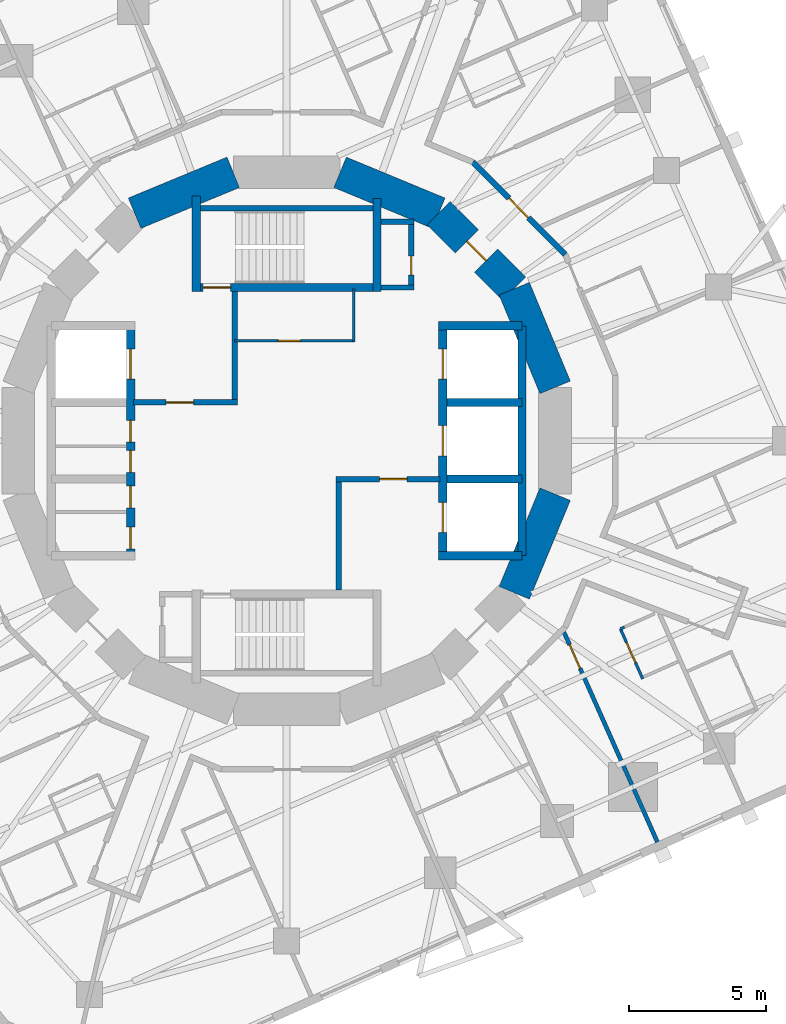
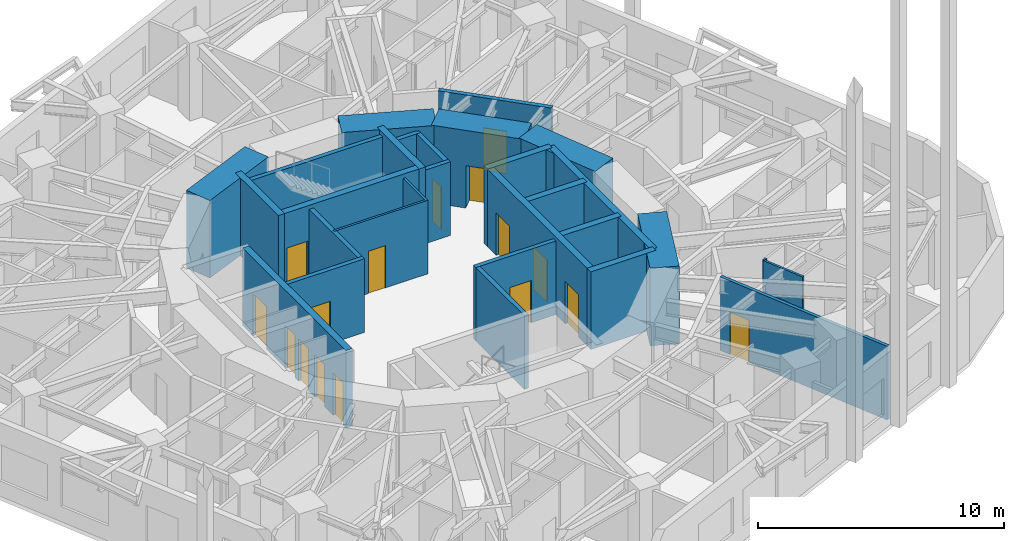
# One storey, part 7 of 11: 29 walls, 17 doors, 17 openings.
"""IFC4 building model written with IfcOpenShell, lengths in metres."""

from ifc_helpers import new_model, si_unit, direction, frame, frame_2d, origin, place, context, subcontext, project, spatial, rectangle, extrude, material, layer, layer_set, type_object, element, fill, save


model = new_model("IFC4")

# Units and contexts
model_context = context("Model", 3, precision=1e-05, world=origin(), true_north=direction((0.0, 1.0)))
body_context = subcontext(model_context, "Body", "Model", "MODEL_VIEW")
ifc_project = project(units=[si_unit("LENGTHUNIT", "METRE"), si_unit("AREAUNIT", "SQUARE_METRE"), si_unit("VOLUMEUNIT", "CUBIC_METRE"), si_unit("PLANEANGLEUNIT", "RADIAN"), si_unit("MASSUNIT", "GRAM", prefix="KILO")], contexts=[model_context])

# Site, building, storey
site_placement = place(None, origin())
site = spatial("IfcSite", under=ifc_project, at=site_placement, CompositionType="ELEMENT")
building_placement = place(site_placement, origin())
building = spatial("IfcBuilding", under=site, at=building_placement, Name="Nakasero Lantern House", CompositionType="ELEMENT")
storey_placement = place(building_placement, frame((0.0, 0.0, 182.449951171875)))
storey = spatial("IfcBuildingStorey", under=building, at=storey_placement, Name="L44", CompositionType="ELEMENT", Elevation=182.449951171875)

# Wall, openings, doors
ifc_material_1 = material(Name="Concrete C50/60", Category="concrete")
ifc_layer_1 = layer(ifc_material_1, 0.300048828125)
ifc_layer_set_1 = layer_set([ifc_layer_1], Name="Core inner wall 300")
wall_type_1 = type_object("IfcWallType", Name="Core inner wall 300", PredefinedType="SHEAR", material=ifc_layer_set_1)
wall_1_placement = place(storey_placement, frame((-5.699951171875, -4.199951171875, 0.0), z_axis=(0.0, 0.0, 1.0), x_axis=(0.0, 1.0, 0.0)))
wall_1 = element("IfcWall", 1, at=wall_1_placement, inside=storey, type_object=wall_type_1, Name="Core inner wall L44 LW", PredefinedType="SHEAR", context=body_context, shape_type="SweptSolid", body=[
    extrude(rectangle(XDim=8.39990234375, YDim=0.300048828125, at=frame_2d((4.199951171875, 0.0))), origin(), (0.0, 0.0, 1.0), 3.85009765625),
])
opening_1_placement = place(wall_1_placement, frame((0.25, 0.0, 0.0)))
opening_1 = element("IfcOpeningElement", 2, at=opening_1_placement, cuts=wall_1, Name="Opening D19", PredefinedType="OPENING", context=body_context, shape_type="SweptSolid", body=[
    extrude(rectangle(XDim=0.800048828125, YDim=2.10009765625, at=frame_2d((0.39990234375, 1.050048828125))), frame((0.0, 0.169921875, 0.0), z_axis=(0.0, -1.0, 0.0), x_axis=(1.0, 0.0, 0.0)), (0.0, 0.0, 1.0), 0.340087890625),
])
opening_2_placement = place(wall_1_placement, frame((1.75, 0.0, 0.0)))
opening_2 = element("IfcOpeningElement", 3, at=opening_2_placement, cuts=wall_1, Name="Opening D15", PredefinedType="OPENING", context=body_context, shape_type="SweptSolid", body=[
    extrude(rectangle(XDim=0.800048828125, YDim=2.10009765625, at=frame_2d((0.39990234375, 1.050048828125))), frame((0.0, 0.169921875, 0.0), z_axis=(0.0, -1.0, 0.0), x_axis=(1.0, 0.0, 0.0)), (0.0, 0.0, 1.0), 0.340087890625),
])
opening_3_placement = place(wall_1_placement, frame((3.050048828125, 0.0, 0.0)))
opening_3 = element("IfcOpeningElement", 4, at=opening_3_placement, cuts=wall_1, Name="Opening D15", PredefinedType="OPENING", context=body_context, shape_type="SweptSolid", body=[
    extrude(rectangle(XDim=0.800048828125, YDim=2.10009765625, at=frame_2d((0.39990234375, 1.050048828125))), frame((0.0, 0.169921875, 0.0), z_axis=(0.0, -1.0, 0.0), x_axis=(1.0, 0.0, 0.0)), (0.0, 0.0, 1.0), 0.340087890625),
])
opening_4_placement = place(wall_1_placement, frame((4.14990234375, 0.0, 0.0)))
opening_4 = element("IfcOpeningElement", 5, at=opening_4_placement, cuts=wall_1, Name="Opening D15", PredefinedType="OPENING", context=body_context, shape_type="SweptSolid", body=[
    extrude(rectangle(XDim=0.800048828125, YDim=2.10009765625, at=frame_2d((0.39990234375, 1.050048828125))), frame((0.0, 0.169921875, 0.0), z_axis=(0.0, -1.0, 0.0), x_axis=(1.0, 0.0, 0.0)), (0.0, 0.0, 1.0), 0.340087890625),
])
opening_5_placement = place(wall_1_placement, frame((6.449951171875, 0.0, 0.0)))
opening_5 = element("IfcOpeningElement", 6, at=opening_5_placement, cuts=wall_1, Name="Opening LD", PredefinedType="OPENING", context=body_context, shape_type="SweptSolid", body=[
    extrude(rectangle(XDim=1.10009765625, YDim=2.10009765625, at=frame_2d((0.550048828125, 1.050048828125))), frame((0.0, 0.169921875, 0.0), z_axis=(0.0, -1.0, 0.0), x_axis=(1.0, 0.0, 0.0)), (0.0, 0.0, 1.0), 0.340087890625),
])
ifc_material_2 = material(Name="Timber C24", Category="wood")
door_type_1 = type_object("IfcDoorType", Name="Cleaner's store door FD30S 800", OperationType="SINGLE_SWING_LEFT", PredefinedType="DOOR", material=ifc_material_2)
door_1_placement = place(opening_2_placement, origin())
door_1 = element("IfcDoor", 7, at=door_1_placement, inside=storey, type_object=door_type_1, Name="Door L44 D-SH-LW1b", OperationType="SINGLE_SWING_LEFT", OverallHeight=2.10009765625, OverallWidth=0.800048828125, PredefinedType="DOOR", context=body_context, shape_type="SweptSolid", body=[
    extrude(rectangle(XDim=0.800048828125, YDim=2.10009765625, at=frame_2d((0.39990234375, 1.050048828125))), frame((0.0, 0.02490234375, 0.0), z_axis=(0.0, -1.0, 0.0), x_axis=(1.0, 0.0, 0.0)), (0.0, 0.0, 1.0), 0.050048828125),
])
fill(opening_2, door_1)
door_2_placement = place(opening_3_placement, origin())
door_2 = element("IfcDoor", 8, at=door_2_placement, inside=storey, type_object=door_type_1, Name="Door L44 D-SH-LW2a", OperationType="SINGLE_SWING_LEFT", OverallHeight=2.10009765625, OverallWidth=0.800048828125, PredefinedType="DOOR", context=body_context, shape_type="SweptSolid", body=[
    extrude(rectangle(XDim=0.800048828125, YDim=2.10009765625, at=frame_2d((0.39990234375, 1.050048828125))), frame((0.0, 0.02490234375, 0.0), z_axis=(0.0, -1.0, 0.0), x_axis=(1.0, 0.0, 0.0)), (0.0, 0.0, 1.0), 0.050048828125),
])
fill(opening_3, door_2)
door_3_placement = place(opening_4_placement, origin())
door_3 = element("IfcDoor", 9, at=door_3_placement, inside=storey, type_object=door_type_1, Name="Door L44 D-SH-LW2b", OperationType="SINGLE_SWING_RIGHT", OverallHeight=2.10009765625, OverallWidth=0.800048828125, PredefinedType="DOOR", context=body_context, shape_type="SweptSolid", body=[
    extrude(rectangle(XDim=0.800048828125, YDim=2.10009765625, at=frame_2d((0.39990234375, 1.050048828125))), frame((0.0, 0.02490234375, 0.0), z_axis=(0.0, -1.0, 0.0), x_axis=(1.0, 0.0, 0.0)), (0.0, 0.0, 1.0), 0.050048828125),
])
fill(opening_4, door_3)
ifc_material_3 = material(Name="Steel S355", Category="steel")
door_type_2 = type_object("IfcDoorType", Name="Lift landing door E120 1100", OperationType="SLIDING_TO_LEFT", PredefinedType="DOOR", material=ifc_material_3)
door_4_placement = place(opening_5_placement, origin())
door_4 = element("IfcDoor", 10, at=door_4_placement, inside=storey, type_object=door_type_2, Name="Lift landing door LW3", OperationType="SLIDING_TO_LEFT", OverallHeight=2.10009765625, OverallWidth=1.10009765625, PredefinedType="DOOR", context=body_context, shape_type="SweptSolid", body=[
    extrude(rectangle(XDim=1.10009765625, YDim=2.10009765625, at=frame_2d((0.550048828125, 1.050048828125))), frame((0.0, 0.02490234375, 0.0), z_axis=(0.0, -1.0, 0.0), x_axis=(1.0, 0.0, 0.0)), (0.0, 0.0, 1.0), 0.050048828125),
])
fill(opening_5, door_4)
ifc_material_4 = material(Name="Steel S355", Category="steel")
door_type_3 = type_object("IfcDoorType", Name="Plant room door FD60 800", OperationType="SINGLE_SWING_LEFT", PredefinedType="DOOR", material=ifc_material_4)
door_5_placement = place(opening_1_placement, origin())
door_5 = element("IfcDoor", 11, at=door_5_placement, inside=storey, type_object=door_type_3, Name="Door L44 D-SH-LW1a", OperationType="SINGLE_SWING_LEFT", OverallHeight=2.10009765625, OverallWidth=0.800048828125, PredefinedType="DOOR", context=body_context, shape_type="SweptSolid", body=[
    extrude(rectangle(XDim=0.800048828125, YDim=2.10009765625, at=frame_2d((0.39990234375, 1.050048828125))), frame((0.0, 0.02490234375, 0.0), z_axis=(0.0, -1.0, 0.0), x_axis=(1.0, 0.0, 0.0)), (0.0, 0.0, 1.0), 0.050048828125),
])
fill(opening_1, door_5)

wall_2_placement = place(storey_placement, frame((5.699951171875, -4.199951171875, 0.0), z_axis=(0.0, 0.0, 1.0), x_axis=(0.0, 1.0, 0.0)))
wall_2 = element("IfcWall", 12, at=wall_2_placement, inside=storey, type_object=wall_type_1, Name="Core inner wall L44 LE", PredefinedType="SHEAR", context=body_context, shape_type="SweptSolid", body=[
    extrude(rectangle(XDim=8.39990234375, YDim=0.300048828125, at=frame_2d((4.199951171875, 0.0))), origin(), (0.0, 0.0, 1.0), 3.85009765625),
])
opening_6_placement = place(wall_2_placement, frame((0.85009765625, 0.0, 0.0)))
opening_6 = element("IfcOpeningElement", 13, at=opening_6_placement, cuts=wall_2, Name="Opening LD", PredefinedType="OPENING", context=body_context, shape_type="SweptSolid", body=[
    extrude(rectangle(XDim=1.10009765625, YDim=2.10009765625, at=frame_2d((0.550048828125, 1.050048828125))), frame((0.0, 0.169921875, 0.0), z_axis=(0.0, -1.0, 0.0), x_axis=(1.0, 0.0, 0.0)), (0.0, 0.0, 1.0), 0.340087890625),
])
opening_7_placement = place(wall_2_placement, frame((3.64990234375, 0.0, 0.0)))
opening_7 = element("IfcOpeningElement", 14, at=opening_7_placement, cuts=wall_2, Name="Opening LD", PredefinedType="OPENING", context=body_context, shape_type="SweptSolid", body=[
    extrude(rectangle(XDim=1.10009765625, YDim=2.10009765625, at=frame_2d((0.550048828125, 1.050048828125))), frame((0.0, 0.169921875, 0.0), z_axis=(0.0, -1.0, 0.0), x_axis=(1.0, 0.0, 0.0)), (0.0, 0.0, 1.0), 0.340087890625),
])
opening_8_placement = place(wall_2_placement, frame((6.449951171875, 0.0, 0.0)))
opening_8 = element("IfcOpeningElement", 15, at=opening_8_placement, cuts=wall_2, Name="Opening LD", PredefinedType="OPENING", context=body_context, shape_type="SweptSolid", body=[
    extrude(rectangle(XDim=1.10009765625, YDim=2.10009765625, at=frame_2d((0.550048828125, 1.050048828125))), frame((0.0, 0.169921875, 0.0), z_axis=(0.0, -1.0, 0.0), x_axis=(1.0, 0.0, 0.0)), (0.0, 0.0, 1.0), 0.340087890625),
])
door_6_placement = place(opening_6_placement, origin())
door_6 = element("IfcDoor", 16, at=door_6_placement, inside=storey, type_object=door_type_2, Name="Lift landing door LE1", OperationType="SLIDING_TO_LEFT", OverallHeight=2.10009765625, OverallWidth=1.10009765625, PredefinedType="DOOR", context=body_context, shape_type="SweptSolid", body=[
    extrude(rectangle(XDim=1.10009765625, YDim=2.10009765625, at=frame_2d((0.550048828125, 1.050048828125))), frame((0.0, 0.02490234375, 0.0), z_axis=(0.0, -1.0, 0.0), x_axis=(1.0, 0.0, 0.0)), (0.0, 0.0, 1.0), 0.050048828125),
])
fill(opening_6, door_6)
door_7_placement = place(opening_7_placement, origin())
door_7 = element("IfcDoor", 17, at=door_7_placement, inside=storey, type_object=door_type_2, Name="Lift landing door LE2", OperationType="SLIDING_TO_LEFT", OverallHeight=2.10009765625, OverallWidth=1.10009765625, PredefinedType="DOOR", context=body_context, shape_type="SweptSolid", body=[
    extrude(rectangle(XDim=1.10009765625, YDim=2.10009765625, at=frame_2d((0.550048828125, 1.050048828125))), frame((0.0, 0.02490234375, 0.0), z_axis=(0.0, -1.0, 0.0), x_axis=(1.0, 0.0, 0.0)), (0.0, 0.0, 1.0), 0.050048828125),
])
fill(opening_7, door_7)
door_8_placement = place(opening_8_placement, origin())
door_8 = element("IfcDoor", 18, at=door_8_placement, inside=storey, type_object=door_type_2, Name="Lift landing door LE3", OperationType="SLIDING_TO_LEFT", OverallHeight=2.10009765625, OverallWidth=1.10009765625, PredefinedType="DOOR", context=body_context, shape_type="SweptSolid", body=[
    extrude(rectangle(XDim=1.10009765625, YDim=2.10009765625, at=frame_2d((0.550048828125, 1.050048828125))), frame((0.0, 0.02490234375, 0.0), z_axis=(0.0, -1.0, 0.0), x_axis=(1.0, 0.0, 0.0)), (0.0, 0.0, 1.0), 0.050048828125),
])
fill(opening_8, door_8)

# Walls
for number, where, z_axis, x_axis, name in (
    (19, (5.550048828125, 4.199951171875, 0.0), (0.0, 0.0, 1.0), (1.0, 0.0, 0.0), "Core inner wall L44 LEN"),
    (20, (5.550048828125, -4.199951171875, 0.0), (0.0, 0.0, 1.0), (1.0, 0.0, 0.0), "Core inner wall L44 LES"),
):
    element("IfcWall", number, at=place(storey_placement, frame(where, z_axis=z_axis, x_axis=x_axis)), inside=storey, type_object=wall_type_1, Name=name, PredefinedType="SHEAR", context=body_context, shape_type="SweptSolid", body=[
        extrude(rectangle(XDim=3.050048828125, YDim=0.300048828125, at=frame_2d((1.52490234375, 0.0))), origin(), (0.0, 0.0, 1.0), 3.85009765625),
    ])
wall_3_placement = place(storey_placement, frame((8.60009765625, -4.199951171875, 0.0), z_axis=(0.0, 0.0, 1.0), x_axis=(0.0, 1.0, 0.0)))
element("IfcWall", 21, at=wall_3_placement, inside=storey, type_object=wall_type_1, Name="Core inner wall L44 LEB", PredefinedType="SHEAR", context=body_context, shape_type="SweptSolid", body=[
    extrude(rectangle(XDim=8.39990234375, YDim=0.300048828125, at=frame_2d((4.199951171875, 0.0))), origin(), (0.0, 0.0, 1.0), 3.85009765625),
])
for number, where, z_axis, x_axis, name in (
    (22, (5.85009765625, -1.39990234375, 0.0), (0.0, 0.0, 1.0), (1.0, 0.0, 0.0), "Core inner wall L44 LE1"),
    (23, (5.85009765625, 1.39990234375, 0.0), (0.0, 0.0, 1.0), (1.0, 0.0, 0.0), "Core inner wall L44 LE2"),
):
    element("IfcWall", number, at=place(storey_placement, frame(where, z_axis=z_axis, x_axis=x_axis)), inside=storey, type_object=wall_type_1, Name=name, PredefinedType="SHEAR", context=body_context, shape_type="SweptSolid", body=[
        extrude(rectangle(XDim=2.75, YDim=0.300048828125, at=frame_2d((1.375, 0.0))), origin(), (0.0, 0.0, 1.0), 3.85009765625),
    ])

# Wall, opening, door
wall_4_placement = place(storey_placement, frame((-3.449951171875, 5.60009765625, 0.0), z_axis=(0.0, 0.0, 1.0), x_axis=(1.0, 0.0, 0.0)))
wall_4 = element("IfcWall", 24, at=wall_4_placement, inside=storey, type_object=wall_type_1, Name="Core inner wall L44 SN", PredefinedType="SHEAR", context=body_context, shape_type="SweptSolid", body=[
    extrude(rectangle(XDim=6.89990234375, YDim=0.300048828125, at=frame_2d((3.449951171875, 0.0))), origin(), (0.0, 0.0, 1.0), 3.85009765625),
])
opening_9_placement = place(wall_4_placement, frame((0.39990234375, 0.0, 0.0)))
opening_9 = element("IfcOpeningElement", 25, at=opening_9_placement, cuts=wall_4, Name="Opening D05", PredefinedType="OPENING", context=body_context, shape_type="SweptSolid", body=[
    extrude(rectangle(XDim=1.0, YDim=2.10009765625, at=frame_2d((0.5, 1.050048828125))), frame((0.0, 0.169921875, 0.0), z_axis=(0.0, -1.0, 0.0), x_axis=(1.0, 0.0, 0.0)), (0.0, 0.0, 1.0), 0.340087890625),
])
ifc_material_5 = material(Name="Timber C24", Category="wood")
door_type_4 = type_object("IfcDoorType", Name="Core door FD60S 1000", OperationType="SINGLE_SWING_LEFT", PredefinedType="DOOR", material=ifc_material_5)
door_9_placement = place(opening_9_placement, origin())
door_9 = element("IfcDoor", 26, at=door_9_placement, inside=storey, type_object=door_type_4, Name="Door L44 D-ST1", OperationType="SINGLE_SWING_LEFT", OverallHeight=2.10009765625, OverallWidth=1.0, PredefinedType="DOOR", context=body_context, shape_type="SweptSolid", body=[
    extrude(rectangle(XDim=1.0, YDim=2.10009765625, at=frame_2d((0.5, 1.050048828125))), frame((0.0, 0.02490234375, 0.0), z_axis=(0.0, -1.0, 0.0), x_axis=(1.0, 0.0, 0.0)), (0.0, 0.0, 1.0), 0.050048828125),
])
fill(opening_9, door_9)

# Walls
wall_5_placement = place(storey_placement, frame((-3.300048828125, 5.449951171875, 0.0), z_axis=(0.0, 0.0, 1.0), x_axis=(0.0, 1.0, 0.0)))
element("IfcWall", 27, at=wall_5_placement, inside=storey, type_object=wall_type_1, Name="Core inner wall L44 SNW", PredefinedType="SHEAR", context=body_context, shape_type="SweptSolid", body=[
    extrude(rectangle(XDim=3.5, YDim=0.300048828125, at=frame_2d((1.75, 0.0))), origin(), (0.0, 0.0, 1.0), 3.85009765625),
])
wall_6_placement = place(storey_placement, frame((3.300048828125, 5.449951171875, 0.0), z_axis=(0.0, 0.0, 1.0), x_axis=(0.0, 1.0, 0.0)))
element("IfcWall", 28, at=wall_6_placement, inside=storey, type_object=wall_type_1, Name="Core inner wall L44 SNE", PredefinedType="SHEAR", context=body_context, shape_type="SweptSolid", body=[
    extrude(rectangle(XDim=3.400146484375, YDim=0.300048828125, at=frame_2d((1.7001953125, 0.0))), origin(), (0.0, 0.0, 1.0), 3.85009765625),
])

# Wall, opening, door
ifc_material_6 = material(Name="Blockwork", Category="masonry")
ifc_layer_2 = layer(ifc_material_6, 0.10009765625)
ifc_layer_set_2 = layer_set([ifc_layer_2], Name="Core room wall 100")
wall_type_2 = type_object("IfcWallType", Name="Core room wall 100", PredefinedType="PARTITIONING", material=ifc_layer_set_2)
wall_7_placement = place(storey_placement, frame((-1.89990234375, 3.64990234375, 0.0), z_axis=(0.0, 0.0, 1.0), x_axis=(1.0, 0.0, 0.0)))
wall_7 = element("IfcWall", 29, at=wall_7_placement, inside=storey, type_object=wall_type_2, Name="Core room wall L44 CR-NES", PredefinedType="PARTITIONING", context=body_context, shape_type="SweptSolid", body=[
    extrude(rectangle(XDim=4.39990234375, YDim=0.10009765625, at=frame_2d((2.199951171875, 0.0))), origin(), (0.0, 0.0, 1.0), 3.650146484375),
])
opening_10_placement = place(wall_7_placement, frame((1.60009765625, 0.0, 0.0)))
opening_10 = element("IfcOpeningElement", 30, at=opening_10_placement, cuts=wall_7, Name="Opening D15", PredefinedType="OPENING", context=body_context, shape_type="SweptSolid", body=[
    extrude(rectangle(XDim=0.800048828125, YDim=2.10009765625, at=frame_2d((0.39990234375, 1.050048828125))), frame((0.0, 0.070068359375, 0.0), z_axis=(0.0, -1.0, 0.0), x_axis=(1.0, 0.0, 0.0)), (0.0, 0.0, 1.0), 0.14013671875),
])
door_10_placement = place(opening_10_placement, origin())
door_10 = element("IfcDoor", 31, at=door_10_placement, inside=storey, type_object=door_type_1, Name="Door L44 D-CR-NE", OperationType="SINGLE_SWING_LEFT", OverallHeight=2.10009765625, OverallWidth=0.800048828125, PredefinedType="DOOR", context=body_context, shape_type="SweptSolid", body=[
    extrude(rectangle(XDim=0.800048828125, YDim=2.10009765625, at=frame_2d((0.39990234375, 1.050048828125))), frame((0.0, 0.02490234375, 0.0), z_axis=(0.0, -1.0, 0.0), x_axis=(1.0, 0.0, 0.0)), (0.0, 0.0, 1.0), 0.050048828125),
])
fill(opening_10, door_10)

# Walls
wall_8_placement = place(storey_placement, frame((2.449951171875, 3.60009765625, 0.0), z_axis=(0.0, 0.0, 1.0), x_axis=(0.0, 1.0, 0.0)))
element("IfcWall", 32, at=wall_8_placement, inside=storey, type_object=wall_type_2, Name="Core room wall L44 CR-NEE", PredefinedType="PARTITIONING", context=body_context, shape_type="SweptSolid", body=[
    extrude(rectangle(XDim=1.949951171875, YDim=0.10009765625, at=frame_2d((0.97509765625, 0.0))), origin(), (0.0, 0.0, 1.0), 3.650146484375),
])
ifc_material_7 = material(Name="Concrete C50/60", Category="concrete")
ifc_layer_3 = layer(ifc_material_7, 1.199951171875)
ifc_layer_set_3 = layer_set([ifc_layer_3], Name="Core wall 1200")
wall_type_3 = type_object("IfcWallType", Name="Core wall 1200", PredefinedType="SHEAR", material=ifc_layer_set_3)
wall_9_placement = place(storey_placement, frame((9.807861328125, 1.950927734375, 0.0), z_axis=(0.0, 0.0, 1.0), x_axis=(-0.382690736062, 0.923876507187, 0.0)))
element("IfcWall", 33, at=wall_9_placement, inside=storey, type_object=wall_type_3, Name="Core wall L44 facet 1", PredefinedType="SHEAR", context=body_context, shape_type="SweptSolid", body=[
    extrude(rectangle(XDim=3.90185546875, YDim=1.199951171875, at=frame_2d((1.950927734375, 0.0))), origin(), (0.0, 0.0, 1.0), 3.85009765625),
])

# Wall, opening, door
wall_10_placement = place(storey_placement, frame((8.314697265625, 5.5556640625, 0.0), z_axis=(0.0, 0.0, 1.0), x_axis=(-0.707106781187, 0.707106781187, 0.0)))
wall_10 = element("IfcWall", 34, at=wall_10_placement, inside=storey, type_object=wall_type_3, Name="Core wall L44 facet 2", PredefinedType="SHEAR", context=body_context, shape_type="SweptSolid", body=[
    extrude(rectangle(XDim=3.90185546875, YDim=1.199951171875, at=frame_2d((1.950927734375, 0.0))), origin(), (0.0, 0.0, 1.0), 3.85009765625),
])
opening_11_placement = place(wall_10_placement, frame((1.450927734375, 0.0, 0.0)))
opening_11 = element("IfcOpeningElement", 35, at=opening_11_placement, cuts=wall_10, Name="Opening D05", PredefinedType="OPENING", context=body_context, shape_type="SweptSolid", body=[
    extrude(rectangle(XDim=1.0, YDim=2.10009765625, at=frame_2d((0.5, 1.050048828125))), frame((0.0, 0.619873046875, 0.0), z_axis=(0.0, -1.0, 0.0), x_axis=(1.0, 0.0, 0.0)), (0.0, 0.0, 1.0), 1.239990234375),
])
door_11_placement = place(opening_11_placement, origin())
door_11 = element("IfcDoor", 36, at=door_11_placement, inside=storey, type_object=door_type_4, Name="Door L44 D-CORE02", OperationType="SINGLE_SWING_LEFT", OverallHeight=2.10009765625, OverallWidth=1.0, PredefinedType="DOOR", context=body_context, shape_type="SweptSolid", body=[
    extrude(rectangle(XDim=1.0, YDim=2.10009765625, at=frame_2d((0.5, 1.050048828125))), frame((0.0, 0.02490234375, 0.0), z_axis=(0.0, -1.0, 0.0), x_axis=(1.0, 0.0, 0.0)), (0.0, 0.0, 1.0), 0.050048828125),
])
fill(opening_11, door_11)

# Walls
for number, where, z_axis, x_axis, name in (
    (37, (5.5556640625, 8.314697265625, 0.0), (0.0, 0.0, 1.0), (-0.923876507187, 0.382690736062, 0.0), "Core wall L44 facet 3"),
    (38, (-1.950927734375, 9.807861328125, 0.0), (0.0, 0.0, 1.0), (-0.923876507187, -0.382690736062, 0.0), "Core wall L44 facet 5"),
    (39, (8.314697265625, -5.5556640625, 0.0), (0.0, 0.0, 1.0), (0.382690736062, 0.923876507187, 0.0), "Core wall L44 facet 15"),
):
    element("IfcWall", number, at=place(storey_placement, frame(where, z_axis=z_axis, x_axis=x_axis)), inside=storey, type_object=wall_type_3, Name=name, PredefinedType="SHEAR", context=body_context, shape_type="SweptSolid", body=[
        extrude(rectangle(XDim=3.90185546875, YDim=1.199951171875, at=frame_2d((1.950927734375, 0.0))), origin(), (0.0, 0.0, 1.0), 3.85009765625),
    ])

# Wall, opening, door
ifc_material_8 = material(Name="Blockwork", Category="masonry")
ifc_layer_4 = layer(ifc_material_8, 0.199951171875)
ifc_layer_set_4 = layer_set([ifc_layer_4], Name="Corridor wall 200")
wall_type_4 = type_object("IfcWallType", Name="Corridor wall 200", PredefinedType="PARTITIONING", material=ifc_layer_set_4)
wall_11_placement = place(storey_placement, frame((6.802001953125, 10.1796875, 0.0), z_axis=(0.0, 0.0, 1.0), x_axis=(0.707106781187, -0.707106781187, 0.0)))
wall_11 = element("IfcWall", 40, at=wall_11_placement, inside=storey, type_object=wall_type_4, Name="Corridor wall L44 RC14a", PredefinedType="PARTITIONING", context=body_context, shape_type="SweptSolid", body=[
    extrude(rectangle(XDim=4.77685546875, YDim=0.199951171875, at=frame_2d((2.388427734375, 0.0))), origin(), (0.0, 0.0, 1.0), 3.650146484375),
])
opening_12_placement = place(wall_11_placement, frame((1.8701171875, 0.0, 0.0)))
opening_12 = element("IfcOpeningElement", 41, at=opening_12_placement, cuts=wall_11, Name="Opening D14", PredefinedType="OPENING", context=body_context, shape_type="SweptSolid", body=[
    extrude(rectangle(XDim=1.0, YDim=2.10009765625, at=frame_2d((0.5, 1.050048828125))), frame((0.0, 0.119873046875, 0.0), z_axis=(0.0, -1.0, 0.0), x_axis=(1.0, 0.0, 0.0)), (0.0, 0.0, 1.0), 0.239990234375),
])
ifc_material_9 = material(Name="Timber C24", Category="wood")
door_type_5 = type_object("IfcDoorType", Name="Cluster entrance door FD30S 1000", OperationType="SINGLE_SWING_LEFT", PredefinedType="DOOR", material=ifc_material_9)
door_12_placement = place(opening_12_placement, origin())
door_12 = element("IfcDoor", 42, at=door_12_placement, inside=storey, type_object=door_type_5, Name="Door L44 D0-04", OperationType="SINGLE_SWING_LEFT", OverallHeight=2.10009765625, OverallWidth=1.0, PredefinedType="DOOR", context=body_context, shape_type="SweptSolid", body=[
    extrude(rectangle(XDim=1.0, YDim=2.10009765625, at=frame_2d((0.5, 1.050048828125))), frame((0.0, 0.02490234375, 0.0), z_axis=(0.0, -1.0, 0.0), x_axis=(1.0, 0.0, 0.0)), (0.0, 0.0, 1.0), 0.050048828125),
])
fill(opening_12, door_12)

ifc_material_10 = material(Name="Blockwork", Category="masonry")
ifc_layer_5 = layer(ifc_material_10, 0.10009765625)
ifc_layer_set_5 = layer_set([ifc_layer_5], Name="En-suite wall 100")
wall_type_5 = type_object("IfcWallType", Name="En-suite wall 100", PredefinedType="PARTITIONING", material=ifc_layer_set_5)
wall_12_placement = place(storey_placement, frame((12.19384765625, -6.87158203125, 0.0), z_axis=(0.0, 0.0, 1.0), x_axis=(0.406727323635, -0.913549606868, 0.0)))
wall_12 = element("IfcWall", 43, at=wall_12_placement, inside=storey, type_object=wall_type_5, Name="En-suite wall L44 ES3-05", PredefinedType="PARTITIONING", context=body_context, shape_type="SweptSolid", body=[
    extrude(rectangle(XDim=2.0, YDim=0.10009765625, at=frame_2d((1.0, 0.0))), origin(), (0.0, 0.0, 1.0), 3.650146484375),
])
opening_13_placement = place(wall_12_placement, frame((0.550048828125, 0.0, 0.0)))
opening_13 = element("IfcOpeningElement", 44, at=opening_13_placement, cuts=wall_12, Name="Opening D02", PredefinedType="OPENING", context=body_context, shape_type="SweptSolid", body=[
    extrude(rectangle(XDim=0.800048828125, YDim=2.10009765625, at=frame_2d((0.39990234375, 1.050048828125))), frame((0.0, 0.070068359375, 0.0), z_axis=(0.0, -1.0, 0.0), x_axis=(1.0, 0.0, 0.0)), (0.0, 0.0, 1.0), 0.14013671875),
])
ifc_material_11 = material(Name="Timber C24", Category="wood")
door_type_6 = type_object("IfcDoorType", Name="En-suite door 800", OperationType="SINGLE_SWING_RIGHT", PredefinedType="DOOR", material=ifc_material_11)
door_13_placement = place(opening_13_placement, origin())
door_13 = element("IfcDoor", 45, at=door_13_placement, inside=storey, type_object=door_type_6, Name="Door L44 DE3-05", OperationType="SINGLE_SWING_LEFT", OverallHeight=2.10009765625, OverallWidth=0.800048828125, PredefinedType="DOOR", context=body_context, shape_type="SweptSolid", body=[
    extrude(rectangle(XDim=0.800048828125, YDim=2.10009765625, at=frame_2d((0.39990234375, 1.050048828125))), frame((0.0, 0.02490234375, 0.0), z_axis=(0.0, -1.0, 0.0), x_axis=(1.0, 0.0, 0.0)), (0.0, 0.0, 1.0), 0.050048828125),
])
fill(opening_13, door_13)

# Wall
wall_13_placement = place(storey_placement, frame((12.19384765625, -6.87158203125, 0.0), z_axis=(0.0, 0.0, 1.0), x_axis=(0.913117581485, 0.407696311466, 0.0)))
element("IfcWall", 46, at=wall_13_placement, inside=storey, type_object=wall_type_5, Name="En-suite wall L44 ES3-05R0", PredefinedType="PARTITIONING", context=body_context, shape_type="SweptSolid", body=[
    extrude(rectangle(XDim=0.159912109375, YDim=0.10009765625, at=frame_2d((0.080078125, 0.0))), origin(), (0.0, 0.0, 1.0), 3.650146484375),
])

# Wall, opening, door
ifc_material_12 = material(Name="Blockwork", Category="masonry")
ifc_layer_6 = layer(ifc_material_12, 0.199951171875)
ifc_layer_set_6 = layer_set([ifc_layer_6], Name="Fire lobby wall 200")
wall_type_6 = type_object("IfcWallType", Name="Fire lobby wall 200", PredefinedType="PARTITIONING", material=ifc_layer_set_6)
wall_14_placement = place(storey_placement, frame((-5.60009765625, 1.39990234375, 0.0), z_axis=(0.0, 0.0, 1.0), x_axis=(1.0, 0.0, 0.0)))
wall_14 = element("IfcWall", 47, at=wall_14_placement, inside=storey, type_object=wall_type_6, Name="Fire lobby wall L44 W-FL1S", PredefinedType="PARTITIONING", context=body_context, shape_type="SweptSolid", body=[
    extrude(rectangle(XDim=3.800048828125, YDim=0.199951171875, at=frame_2d((1.89990234375, 0.0))), origin(), (0.0, 0.0, 1.0), 3.650146484375),
])
opening_14_placement = place(wall_14_placement, frame((1.199951171875, 0.0, 0.0)))
opening_14 = element("IfcOpeningElement", 48, at=opening_14_placement, cuts=wall_14, Name="Opening D05", PredefinedType="OPENING", context=body_context, shape_type="SweptSolid", body=[
    extrude(rectangle(XDim=1.0, YDim=2.10009765625, at=frame_2d((0.5, 1.050048828125))), frame((0.0, 0.119873046875, 0.0), z_axis=(0.0, -1.0, 0.0), x_axis=(1.0, 0.0, 0.0)), (0.0, 0.0, 1.0), 0.239990234375),
])
door_14_placement = place(opening_14_placement, origin())
door_14 = element("IfcDoor", 49, at=door_14_placement, inside=storey, type_object=door_type_4, Name="Door L44 D-FL1", OperationType="SINGLE_SWING_LEFT", OverallHeight=2.10009765625, OverallWidth=1.0, PredefinedType="DOOR", context=body_context, shape_type="SweptSolid", body=[
    extrude(rectangle(XDim=1.0, YDim=2.10009765625, at=frame_2d((0.5, 1.050048828125))), frame((0.0, 0.02490234375, 0.0), z_axis=(0.0, -1.0, 0.0), x_axis=(1.0, 0.0, 0.0)), (0.0, 0.0, 1.0), 0.050048828125),
])
fill(opening_14, door_14)

# Wall
wall_15_placement = place(storey_placement, frame((-1.89990234375, 1.5, 0.0), z_axis=(0.0, 0.0, 1.0), x_axis=(0.0, 1.0, 0.0)))
element("IfcWall", 50, at=wall_15_placement, inside=storey, type_object=wall_type_6, Name="Fire lobby wall L44 W-FL1E", PredefinedType="PARTITIONING", context=body_context, shape_type="SweptSolid", body=[
    extrude(rectangle(XDim=3.949951171875, YDim=0.199951171875, at=frame_2d((1.97509765625, 0.0))), origin(), (0.0, 0.0, 1.0), 3.650146484375),
])

# Wall, opening, door
wall_16_placement = place(storey_placement, frame((5.60009765625, -1.39990234375, 0.0), z_axis=(0.0, 0.0, 1.0), x_axis=(-1.0, 0.0, 0.0)))
wall_16 = element("IfcWall", 51, at=wall_16_placement, inside=storey, type_object=wall_type_6, Name="Fire lobby wall L44 W-FL2N", PredefinedType="PARTITIONING", context=body_context, shape_type="SweptSolid", body=[
    extrude(rectangle(XDim=3.800048828125, YDim=0.199951171875, at=frame_2d((1.89990234375, 0.0))), origin(), (0.0, 0.0, 1.0), 3.650146484375),
])
opening_15_placement = place(wall_16_placement, frame((1.199951171875, 0.0, 0.0)))
opening_15 = element("IfcOpeningElement", 52, at=opening_15_placement, cuts=wall_16, Name="Opening D05", PredefinedType="OPENING", context=body_context, shape_type="SweptSolid", body=[
    extrude(rectangle(XDim=1.0, YDim=2.10009765625, at=frame_2d((0.5, 1.050048828125))), frame((0.0, 0.119873046875, 0.0), z_axis=(0.0, -1.0, 0.0), x_axis=(1.0, 0.0, 0.0)), (0.0, 0.0, 1.0), 0.239990234375),
])
door_15_placement = place(opening_15_placement, origin())
door_15 = element("IfcDoor", 53, at=door_15_placement, inside=storey, type_object=door_type_4, Name="Door L44 D-FL2", OperationType="SINGLE_SWING_LEFT", OverallHeight=2.10009765625, OverallWidth=1.0, PredefinedType="DOOR", context=body_context, shape_type="SweptSolid", body=[
    extrude(rectangle(XDim=1.0, YDim=2.10009765625, at=frame_2d((0.5, 1.050048828125))), frame((0.0, 0.02490234375, 0.0), z_axis=(0.0, -1.0, 0.0), x_axis=(1.0, 0.0, 0.0)), (0.0, 0.0, 1.0), 0.050048828125),
])
fill(opening_15, door_15)

# Wall
wall_17_placement = place(storey_placement, frame((1.89990234375, -1.5, 0.0), z_axis=(0.0, 0.0, 1.0), x_axis=(0.0, -1.0, 0.0)))
element("IfcWall", 54, at=wall_17_placement, inside=storey, type_object=wall_type_6, Name="Fire lobby wall L44 W-FL2W", PredefinedType="PARTITIONING", context=body_context, shape_type="SweptSolid", body=[
    extrude(rectangle(XDim=3.949951171875, YDim=0.199951171875, at=frame_2d((1.97509765625, 0.0))), origin(), (0.0, 0.0, 1.0), 3.650146484375),
])

# Wall, opening, door
wall_18_placement = place(storey_placement, frame((4.550048828125, 5.60009765625, 0.0), z_axis=(0.0, 0.0, 1.0), x_axis=(0.0, 1.0, 0.0)))
wall_18 = element("IfcWall", 55, at=wall_18_placement, inside=storey, type_object=wall_type_6, Name="Fire lobby wall L44 W-RS1E", PredefinedType="PARTITIONING", context=body_context, shape_type="SweptSolid", body=[
    extrude(rectangle(XDim=2.39990234375, YDim=0.199951171875, at=frame_2d((1.199951171875, 0.0))), origin(), (0.0, 0.0, 1.0), 3.650146484375),
])
opening_16_placement = place(wall_18_placement, frame((0.449951171875, 0.0, 0.0)))
opening_16 = element("IfcOpeningElement", 56, at=opening_16_placement, cuts=wall_18, Name="Opening D06", PredefinedType="OPENING", context=body_context, shape_type="SweptSolid", body=[
    extrude(rectangle(XDim=0.699951171875, YDim=2.10009765625, at=frame_2d((0.35009765625, 1.050048828125))), frame((0.0, 0.119873046875, 0.0), z_axis=(0.0, -1.0, 0.0), x_axis=(1.0, 0.0, 0.0)), (0.0, 0.0, 1.0), 0.239990234375),
])
ifc_material_13 = material(Name="Steel S355", Category="steel")
door_type_7 = type_object("IfcDoorType", Name="Riser door FD60 700", OperationType="SINGLE_SWING_LEFT", PredefinedType="DOOR", material=ifc_material_13)
door_16_placement = place(opening_16_placement, origin())
door_16 = element("IfcDoor", 57, at=door_16_placement, inside=storey, type_object=door_type_7, Name="Door L44 D-RS1", OperationType="SINGLE_SWING_LEFT", OverallHeight=2.10009765625, OverallWidth=0.699951171875, PredefinedType="DOOR", context=body_context, shape_type="SweptSolid", body=[
    extrude(rectangle(XDim=0.699951171875, YDim=2.10009765625, at=frame_2d((0.35009765625, 1.050048828125))), frame((0.0, 0.02490234375, 0.0), z_axis=(0.0, -1.0, 0.0), x_axis=(1.0, 0.0, 0.0)), (0.0, 0.0, 1.0), 0.050048828125),
])
fill(opening_16, door_16)

# Walls
for number, where, z_axis, x_axis, name in (
    (58, (3.449951171875, 8.0, 0.0), (0.0, 0.0, 1.0), (1.0, 0.0, 0.0), "Fire lobby wall L44 W-RS1N"),
    (59, (3.449951171875, 5.60009765625, 0.0), (0.0, 0.0, 1.0), (1.0, 0.0, 0.0), "Fire lobby wall L44 W-RS1S"),
):
    element("IfcWall", number, at=place(storey_placement, frame(where, z_axis=z_axis, x_axis=x_axis)), inside=storey, type_object=wall_type_6, Name=name, PredefinedType="PARTITIONING", context=body_context, shape_type="SweptSolid", body=[
        extrude(rectangle(XDim=1.199951171875, YDim=0.199951171875, at=frame_2d((0.60009765625, 0.0))), origin(), (0.0, 0.0, 1.0), 3.650146484375),
    ])
wall_19_placement = place(storey_placement, frame((-3.300048828125, 8.5, 0.0), z_axis=(0.0, 0.0, 1.0), x_axis=(1.0, 0.0, 0.0)))
element("IfcWall", 60, at=wall_19_placement, inside=storey, type_object=wall_type_6, Name="Fire lobby wall L44 W-STN", PredefinedType="PARTITIONING", context=body_context, shape_type="SweptSolid", body=[
    extrude(rectangle(XDim=6.60009765625, YDim=0.199951171875, at=frame_2d((3.300048828125, 0.0))), origin(), (0.0, 0.0, 1.0), 3.650146484375),
])

# Wall, opening, door
ifc_material_14 = material(Name="Blockwork", Category="masonry")
ifc_layer_7 = layer(ifc_material_14, 0.14990234375)
ifc_layer_set_7 = layer_set([ifc_layer_7], Name="Party wall 150")
wall_type_7 = type_object("IfcWallType", Name="Party wall 150", PredefinedType="PARTITIONING", material=ifc_layer_set_7)
wall_20_placement = place(storey_placement, frame((10.130615234375, -6.99267578125, 0.0), z_axis=(0.0, 0.0, 1.0), x_axis=(0.406732255089, -0.913547411288, 0.0)))
wall_20 = element("IfcWall", 61, at=wall_20_placement, inside=storey, type_object=wall_type_7, Name="Party wall L44 PW3-05", PredefinedType="PARTITIONING", context=body_context, shape_type="SweptSolid", body=[
    extrude(rectangle(XDim=8.3916015625, YDim=0.14990234375, at=frame_2d((4.19580078125, 0.0))), origin(), (0.0, 0.0, 1.0), 3.650146484375),
])
opening_17_placement = place(wall_20_placement, frame((0.5, 0.0, 0.0)))
opening_17 = element("IfcOpeningElement", 62, at=opening_17_placement, cuts=wall_20, Name="Opening D01", PredefinedType="OPENING", context=body_context, shape_type="SweptSolid", body=[
    extrude(rectangle(XDim=0.949951171875, YDim=2.10009765625, at=frame_2d((0.47509765625, 1.050048828125))), frame((0.0, 0.094970703125, 0.0), z_axis=(0.0, -1.0, 0.0), x_axis=(1.0, 0.0, 0.0)), (0.0, 0.0, 1.0), 0.18994140625),
])
ifc_material_15 = material(Name="Timber C24", Category="wood")
door_type_8 = type_object("IfcDoorType", Name="Bedroom door FD30S 950", OperationType="SINGLE_SWING_LEFT", PredefinedType="DOOR", material=ifc_material_15)
door_17_placement = place(opening_17_placement, origin())
door_17 = element("IfcDoor", 63, at=door_17_placement, inside=storey, type_object=door_type_8, Name="Door L44 DS3-05", OperationType="SINGLE_SWING_LEFT", OverallHeight=2.10009765625, OverallWidth=0.949951171875, PredefinedType="DOOR", context=body_context, shape_type="SweptSolid", body=[
    extrude(rectangle(XDim=0.949951171875, YDim=2.10009765625, at=frame_2d((0.47509765625, 1.050048828125))), frame((0.0, 0.02490234375, 0.0), z_axis=(0.0, -1.0, 0.0), x_axis=(1.0, 0.0, 0.0)), (0.0, 0.0, 1.0), 0.050048828125),
])
fill(opening_17, door_17)

save(model, "model.ifc")
